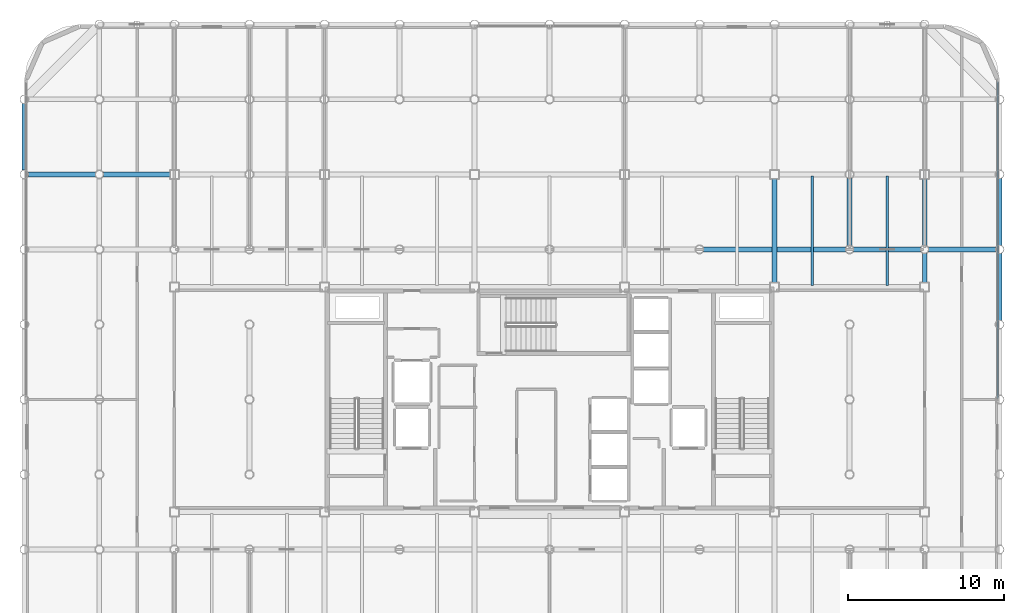
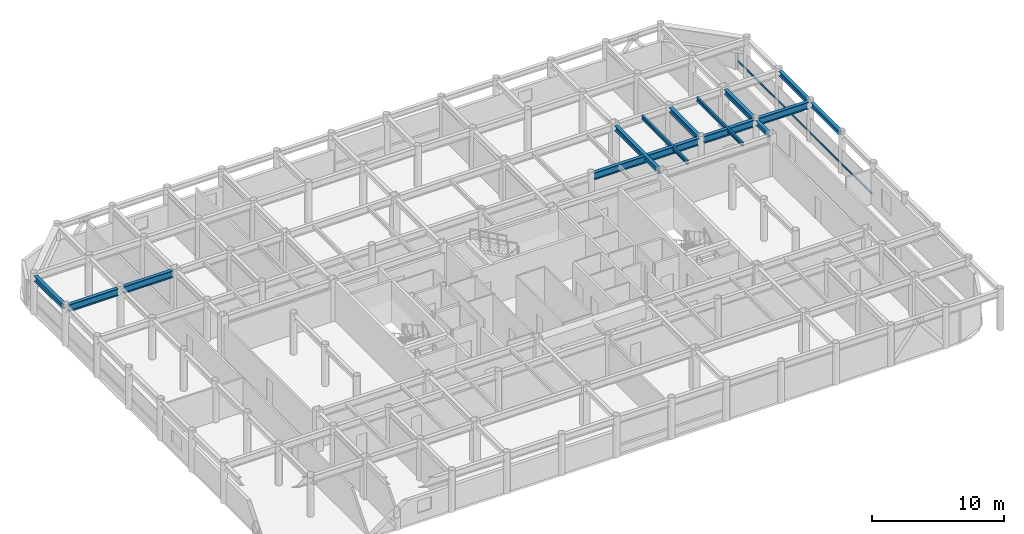
# One storey, part 11 of 21: 14 beams, 1 member, 1 element without a shape of its own.
"""IFC4 building model written with IfcOpenShell, lengths in metres."""

from ifc_helpers import new_model, si_unit, direction, frame, origin, origin_2d, place, context, subcontext, project, spatial, hollow_rectangle, i_section, extrude, material, layer, layer_set, material_profile, profile_set, type_object, element, aggregate, save


model = new_model("IFC4")

# Units and contexts
model_context = context("Model", 3, precision=1e-05, world=origin(), true_north=direction((0.0, 1.0)))
body_context = subcontext(model_context, "Body", "Model", "MODEL_VIEW")
ifc_project = project(units=[si_unit("LENGTHUNIT", "METRE"), si_unit("AREAUNIT", "SQUARE_METRE"), si_unit("VOLUMEUNIT", "CUBIC_METRE"), si_unit("PLANEANGLEUNIT", "RADIAN"), si_unit("MASSUNIT", "GRAM", prefix="KILO")], contexts=[model_context])

# Site, building, storey
site_placement = place(None, origin())
site = spatial("IfcSite", under=ifc_project, at=site_placement, CompositionType="ELEMENT")
building_placement = place(site_placement, origin())
building = spatial("IfcBuilding", under=site, at=building_placement, Name="Kallvorn Hotel Tower", CompositionType="ELEMENT")
storey_placement = place(building_placement, frame((0.0, 0.0, 268.5)))
storey = spatial("IfcBuildingStorey", under=building, at=storey_placement, Name="L67", CompositionType="ELEMENT", Elevation=268.5)

# Beams
ifc_material_1 = material(Name="Structural steel S355JR", Category="steel")
ifc_material_profile_1 = material_profile(ifc_material_1, i_section(OverallWidth=0.300048828125, OverallDepth=0.43994140625, WebThickness=0.011474609375, FlangeThickness=0.02099609375, at=origin_2d()), Name="HE 450 A")
ifc_profile_set_1 = profile_set([ifc_material_profile_1], Name="Structural steel S355JR")
beam_type_1 = type_object("IfcBeamType", Name="BM_HE450A", PredefinedType="BEAM", material=ifc_profile_set_1)
beam_1_placement = place(storey_placement, frame((14.39990234375, 7.47509765625, 3.449951171875), z_axis=(0.0, 1.0, 0.0), x_axis=(-1.0, 0.0, 0.0)))
element("IfcBeam", 1, at=beam_1_placement, inside=storey, type_object=beam_type_1, Name="L68 Primary Y-Girder 124", PredefinedType="BEAM", context=body_context, shape_type="SweptSolid", body=[
    extrude(i_section(OverallWidth=0.300048828125, OverallDepth=0.43994140625, WebThickness=0.011474609375, FlangeThickness=0.02099609375, at=origin_2d()), origin(), (0.0, 0.0, 1.0), 6.64990234375),
])
beam_2_placement = place(storey_placement, frame((19.199951171875, 9.8544921875, 3.449951171875), z_axis=(0.0, 1.0, 0.0), x_axis=(-1.0, 0.0, 0.0)))
element("IfcBeam", 2, at=beam_2_placement, inside=storey, type_object=beam_type_1, Name="L68 Primary Y-Girder 133", PredefinedType="BEAM", context=body_context, shape_type="SweptSolid", body=[
    extrude(i_section(OverallWidth=0.300048828125, OverallDepth=0.43994140625, WebThickness=0.011474609375, FlangeThickness=0.02099609375, at=origin_2d()), origin(), (0.0, 0.0, 1.0), 4.291015625),
])
beam_3_placement = place(storey_placement, frame((24.0, 7.47509765625, 3.449951171875), z_axis=(0.0, 1.0, 0.0), x_axis=(-1.0, 0.0, 0.0)))
element("IfcBeam", 3, at=beam_3_placement, inside=storey, type_object=beam_type_1, Name="L68 Primary Y-Girder 139", PredefinedType="BEAM", context=body_context, shape_type="SweptSolid", body=[
    extrude(i_section(OverallWidth=0.300048828125, OverallDepth=0.43994140625, WebThickness=0.011474609375, FlangeThickness=0.02099609375, at=origin_2d()), origin(), (0.0, 0.0, 1.0), 1.870361328125),
])
beam_4_placement = place(storey_placement, frame((24.0, 9.8544921875, 3.449951171875), z_axis=(0.0, 1.0, 0.0), x_axis=(-1.0, 0.0, 0.0)))
element("IfcBeam", 4, at=beam_4_placement, inside=storey, type_object=beam_type_1, Name="L68 Primary Y-Girder 140", PredefinedType="BEAM", context=body_context, shape_type="SweptSolid", body=[
    extrude(i_section(OverallWidth=0.300048828125, OverallDepth=0.43994140625, WebThickness=0.011474609375, FlangeThickness=0.02099609375, at=origin_2d()), origin(), (0.0, 0.0, 1.0), 4.2705078125),
])
for number, where, z_axis, x_axis, name in (
    (5, (28.800048828125, 5.054443359375, 3.449951171875), (0.0, 1.0, 0.0), (-1.0, 0.0, 0.0), "L68 Primary Y-Girder 148"),
    (6, (28.800048828125, 9.8544921875, 3.449951171875), (0.0, 1.0, 0.0), (-1.0, 0.0, 0.0), "L68 Primary Y-Girder 149"),
):
    element("IfcBeam", number, at=place(storey_placement, frame(where, z_axis=z_axis, x_axis=x_axis)), inside=storey, type_object=beam_type_1, Name=name, PredefinedType="BEAM", context=body_context, shape_type="SweptSolid", body=[
        extrude(i_section(OverallWidth=0.300048828125, OverallDepth=0.43994140625, WebThickness=0.011474609375, FlangeThickness=0.02099609375, at=origin_2d()), origin(), (0.0, 0.0, 1.0), 4.291015625),
    ])
ifc_material_2 = material(Name="Structural steel S355JR", Category="steel")
ifc_material_profile_2 = material_profile(ifc_material_2, i_section(OverallWidth=0.300048828125, OverallDepth=0.5, WebThickness=0.014404296875, FlangeThickness=0.028076171875, at=origin_2d()), Name="HE 500 B")
ifc_profile_set_2 = profile_set([ifc_material_profile_2], Name="Structural steel S355JR")
beam_type_2 = type_object("IfcBeamType", Name="BM_HE500B", PredefinedType="SPANDREL", material=ifc_profile_set_2)
beam_5_placement = place(storey_placement, frame((-33.60009765625, 14.66943359375, 3.419921875), z_axis=(0.0, 1.0, 0.0), x_axis=(-1.0, 0.0, 0.0)))
element("IfcBeam", 7, at=beam_5_placement, inside=storey, type_object=beam_type_2, Name="L68 Perimeter Spandrel 180", PredefinedType="SPANDREL", context=body_context, shape_type="SweptSolid", body=[
    extrude(i_section(OverallWidth=0.300048828125, OverallDepth=0.5, WebThickness=0.014404296875, FlangeThickness=0.028076171875, at=origin_2d()), origin(), (0.0, 0.0, 1.0), 4.260986328125),
])
ifc_material_3 = material(Name="Structural steel S355JR", Category="steel")
ifc_material_profile_3 = material_profile(ifc_material_3, i_section(OverallWidth=0.300048828125, OverallDepth=0.64990234375, WebThickness=0.01611328125, FlangeThickness=0.031005859375, at=origin_2d()), Name="HE 650 B")
ifc_profile_set_3 = profile_set([ifc_material_profile_3], Name="Structural steel S355JR")
beam_type_3 = type_object("IfcBeamType", Name="BM_HE650B", PredefinedType="BEAM", material=ifc_profile_set_3)
beam_6_placement = place(storey_placement, frame((9.8544921875, 9.60009765625, 3.344970703125), z_axis=(1.0, 0.0, 0.0), x_axis=(0.0, 1.0, 0.0)))
element("IfcBeam", 8, at=beam_6_placement, inside=storey, type_object=beam_type_3, Name="L68 Primary X-Girder 47", PredefinedType="BEAM", context=body_context, shape_type="SweptSolid", body=[
    extrude(i_section(OverallWidth=0.300048828125, OverallDepth=0.64990234375, WebThickness=0.01611328125, FlangeThickness=0.031005859375, at=origin_2d()), origin(), (0.0, 0.0, 1.0), 9.091064453125),
])
for number, where, z_axis, x_axis, name in (
    (9, (19.45458984375, 9.60009765625, 3.344970703125), (1.0, 0.0, 0.0), (0.0, 1.0, 0.0), "L68 Primary X-Girder 48"),
    (10, (24.25439453125, 9.60009765625, 3.344970703125), (1.0, 0.0, 0.0), (0.0, 1.0, 0.0), "L68 Primary X-Girder 49"),
    (11, (-33.345458984375, 14.39990234375, 3.344970703125), (1.0, 0.0, 0.0), (0.0, 1.0, 0.0), "L68 Primary X-Girder 50"),
):
    element("IfcBeam", number, at=place(storey_placement, frame(where, z_axis=z_axis, x_axis=x_axis)), inside=storey, type_object=beam_type_3, Name=name, PredefinedType="BEAM", context=body_context, shape_type="SweptSolid", body=[
        extrude(i_section(OverallWidth=0.300048828125, OverallDepth=0.64990234375, WebThickness=0.01611328125, FlangeThickness=0.031005859375, at=origin_2d()), origin(), (0.0, 0.0, 1.0), 4.291015625),
    ])
beam_7_placement = place(storey_placement, frame((-28.54541015625, 14.39990234375, 3.344970703125), z_axis=(1.0, 0.0, 0.0), x_axis=(0.0, 1.0, 0.0)))
element("IfcBeam", 12, at=beam_7_placement, inside=storey, type_object=beam_type_3, Name="L68 Primary X-Girder 51", PredefinedType="BEAM", context=body_context, shape_type="SweptSolid", body=[
    extrude(i_section(OverallWidth=0.300048828125, OverallDepth=0.64990234375, WebThickness=0.01611328125, FlangeThickness=0.031005859375, at=origin_2d()), origin(), (0.0, 0.0, 1.0), 4.2705078125),
])
ifc_material_4 = material(Name="Structural steel S355JR", Category="steel")
ifc_material_profile_4 = material_profile(ifc_material_4, i_section(OverallWidth=0.169921875, OverallDepth=0.360107421875, WebThickness=0.008056640625, FlangeThickness=0.0126953125, at=origin_2d()), Name="IPE 360")
ifc_profile_set_4 = profile_set([ifc_material_profile_4], Name="Structural steel S355JR")
beam_type_4 = type_object("IfcBeamType", Name="BM_IPE360", PredefinedType="JOIST", material=ifc_profile_set_4)
for number, where, z_axis, x_axis, name in (
    (13, (16.800048828125, 7.300048828125, 3.489990234375), (0.0, 1.0, 0.0), (-1.0, 0.0, 0.0), "L68 Secondary Composite Joist 207"),
    (14, (21.60009765625, 7.300048828125, 3.489990234375), (0.0, 1.0, 0.0), (-1.0, 0.0, 0.0), "L68 Secondary Composite Joist 209"),
):
    element("IfcBeam", number, at=place(storey_placement, frame(where, z_axis=z_axis, x_axis=x_axis)), inside=storey, type_object=beam_type_4, Name=name, PredefinedType="JOIST", context=body_context, shape_type="SweptSolid", body=[
        extrude(i_section(OverallWidth=0.169921875, OverallDepth=0.360107421875, WebThickness=0.008056640625, FlangeThickness=0.0126953125, at=origin_2d()), origin(), (0.0, 0.0, 1.0), 7.0),
    ])

# Curtain wall, member
ifc_material_5 = material(Name="Thermally broken black-anodised aluminium AA 6063-T6", Category="aluminium")
ifc_layer = layer(ifc_material_5, 0.22998046875)
ifc_layer_set = layer_set([ifc_layer], Name="CW_SYS_5_HOTEL_HIGH")
curtain_wall_type = type_object("IfcCurtainWallType", Name="CW_SYS_5_HOTEL_HIGH", PredefinedType="USERDEFINED", material=ifc_layer_set)
curtain_wall_placement = place(storey_placement, origin())
curtain_wall = element("IfcCurtainWall", 15, at=curtain_wall_placement, inside=storey, type_object=curtain_wall_type, Name="L67 Dark-Glass Curtain Wall CW-L67-EN", ObjectType="UNITISED CURTAIN WALL", PredefinedType="USERDEFINED")
ifc_material_6 = material(Name="Thermally broken black-anodised aluminium AA 6063-T6", Category="aluminium")
ifc_material_profile_5 = material_profile(ifc_material_6, hollow_rectangle(XDim=0.070068359375, YDim=0.179931640625, WallThickness=0.00390625, at=origin_2d()), Name="TRN 180x70")
ifc_profile_set_5 = profile_set([ifc_material_profile_5], Name="Thermally broken black-anodised aluminium AA 6063-T6")
member_type = type_object("IfcMemberType", Name="CW_TRANSOM_180x70", PredefinedType="USERDEFINED", material=ifc_profile_set_5)
member_placement = place(storey_placement, frame((28.679931640625, 0.06005859375, 0.85009765625), z_axis=(0.0, 1.0, 0.0), x_axis=(-1.0, 0.0, 0.0)))
member = element("IfcMember", 16, at=member_placement, type_object=member_type, Name="CW-L67-EN Transom 00M", ObjectType="TRANSOM", PredefinedType="USERDEFINED", context=body_context, shape_type="SweptSolid", body=[
    extrude(hollow_rectangle(XDim=0.070068359375, YDim=0.179931640625, WallThickness=0.00390625, at=origin_2d()), origin(), (0.0, 0.0, 1.0), 20.300048828125),
])
aggregate(curtain_wall, [member])

save(model, "model.ifc")
